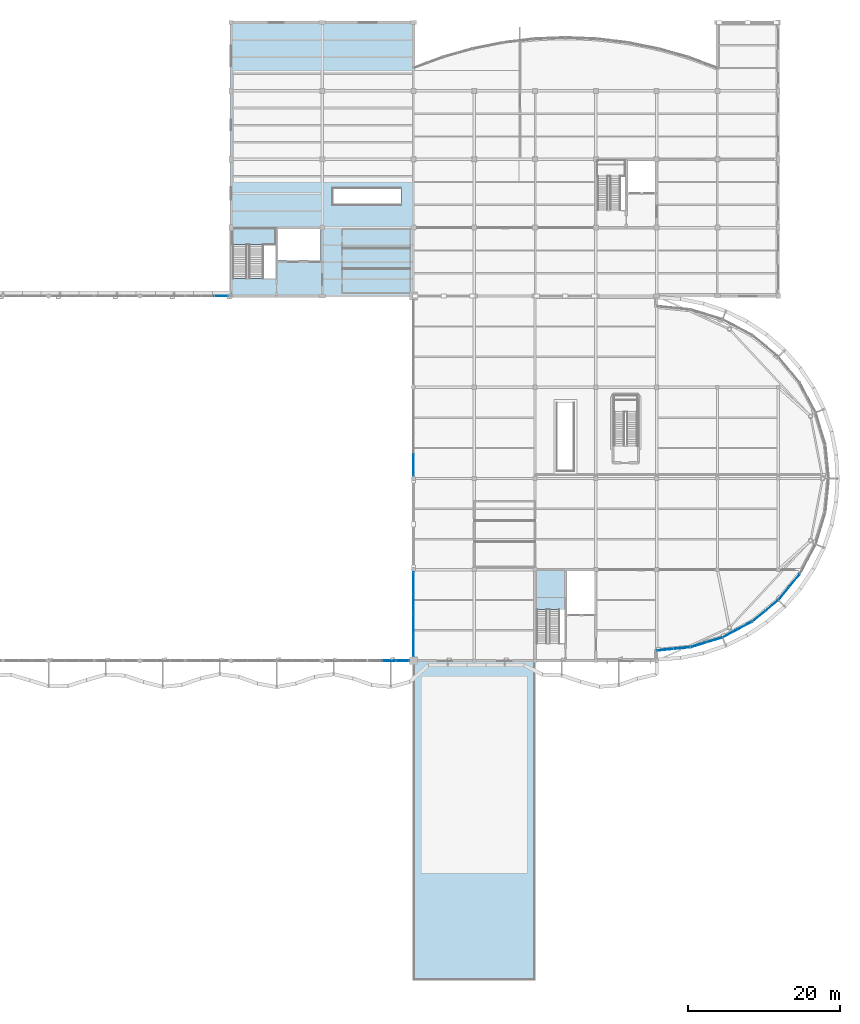
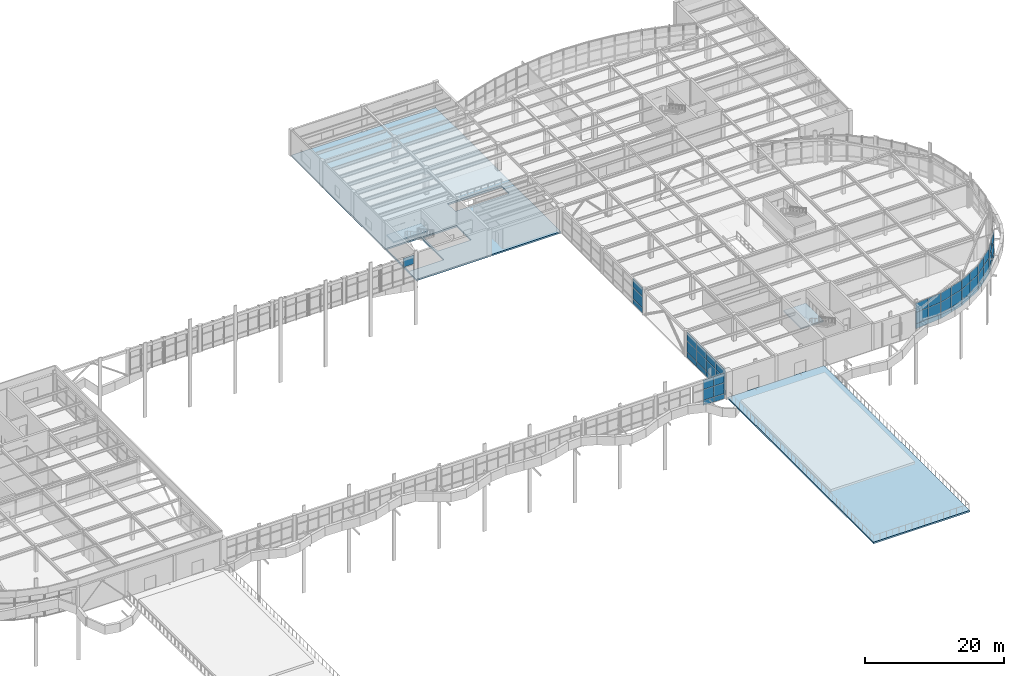
# One storey, part 38 of 63: 52 plates, 4 slabs, 11 elements without a shape of their own.
"""IFC4 building model written with IfcOpenShell, lengths in metres."""

from ifc_helpers import new_model, si_unit, direction, frame, origin, origin_2d, place, context, subcontext, project, spatial, polyline, rectangle, outline, extrude, material, layer, layer_set, type_object, element, aggregate, save


model = new_model("IFC4")

# Units and contexts
model_context = context("Model", 3, precision=1e-05, world=origin(), true_north=direction((0.0, 1.0)))
body_context = subcontext(model_context, "Body", "Model", "MODEL_VIEW")
ifc_project = project(units=[si_unit("LENGTHUNIT", "METRE"), si_unit("AREAUNIT", "SQUARE_METRE"), si_unit("VOLUMEUNIT", "CUBIC_METRE"), si_unit("PLANEANGLEUNIT", "RADIAN"), si_unit("MASSUNIT", "GRAM", prefix="KILO")], contexts=[model_context])

# Site, building, storey
site_placement = place(None, origin())
site = spatial("IfcSite", under=ifc_project, at=site_placement, CompositionType="ELEMENT")
building_placement = place(site_placement, origin())
building = spatial("IfcBuilding", under=site, at=building_placement, Name="Keelwater Ferry Terminal", CompositionType="ELEMENT")
storey_placement = place(building_placement, frame((0.0, 0.0, 10.199951171875)))
storey = spatial("IfcBuildingStorey", under=building, at=storey_placement, Name="L02", CompositionType="ELEMENT", Elevation=10.199951171875)

# Curtain wall, plates
ifc_material_1 = material(Name="Thermally broken unitised aluminium and triple glass", Category="aluminium")
ifc_layer_1 = layer(ifc_material_1, 0.179931640625)
ifc_layer_set_1 = layer_set([ifc_layer_1], Name="Thermally broken unitised aluminium and triple glass")
curtain_wall_type_1 = type_object("IfcCurtainWallType", Name="CW-03 Unitised Curtain Wall 5230x4450", PredefinedType="USERDEFINED", material=ifc_layer_set_1)
curtain_wall_1_placement = place(storey_placement, origin())
curtain_wall_1 = element("IfcCurtainWall", 1, at=curtain_wall_1_placement, inside=storey, type_object=curtain_wall_type_1, Name="Unitised Curtain Wall CW-L02-024", ObjectType="UNITISED CURTAIN WALL", PredefinedType="USERDEFINED")
ifc_material_2 = material(Name="Insulated white cassette spandrel", Category="aluminium")
ifc_layer_2 = layer(ifc_material_2, 0.094970703125)
ifc_layer_set_2 = layer_set([ifc_layer_2], Name="Insulated white cassette spandrel")
plate_type_1 = type_object("IfcPlateType", Name="CWP-S2 Insulated Spandrel Panel 95", PredefinedType="CURTAIN_PANEL", material=ifc_layer_set_2)
plate_1_placement = place(storey_placement, frame((128.81005859375, 42.0, 0.0), z_axis=(0.0, 0.0, 1.0), x_axis=(1.0, 0.0, 0.0)))
plate_1 = element("IfcPlate", 2, at=plate_1_placement, type_object=plate_type_1, Name="CW-L02-024 Panel 2.1", PredefinedType="CURTAIN_PANEL", context=body_context, shape_type="SweptSolid", body=[
    extrude(rectangle(XDim=1.743408203125, YDim=0.094970703125, at=origin_2d()), origin(), (0.0, 0.0, 1.0), 0.89990234375),
])
plate_2_placement = place(storey_placement, frame((130.55322265625, 42.0, 0.0), z_axis=(0.0, 0.0, 1.0), x_axis=(1.0, 0.0, 0.0)))
plate_2 = element("IfcPlate", 3, at=plate_2_placement, type_object=plate_type_1, Name="CW-L02-024 Panel 3.1", PredefinedType="CURTAIN_PANEL", context=body_context, shape_type="SweptSolid", body=[
    extrude(rectangle(XDim=1.743408203125, YDim=0.094970703125, at=origin_2d()), origin(), (0.0, 0.0, 1.0), 0.89990234375),
])

ifc_material_3 = material(Name="Thermally broken unitised aluminium and triple glass", Category="aluminium")
ifc_layer_3 = layer(ifc_material_3, 0.179931640625)
ifc_layer_set_3 = layer_set([ifc_layer_3], Name="Thermally broken unitised aluminium and triple glass")
curtain_wall_type_2 = type_object("IfcCurtainWallType", Name="CW-14 Unitised Curtain Wall 11050x4450", PredefinedType="USERDEFINED", material=ifc_layer_set_3)
curtain_wall_2_placement = place(storey_placement, origin())
curtain_wall_2 = element("IfcCurtainWall", 4, at=curtain_wall_2_placement, inside=storey, type_object=curtain_wall_type_2, Name="Unitised Curtain Wall CW-L02-074", ObjectType="UNITISED CURTAIN WALL", PredefinedType="USERDEFINED")
plate_3_placement = place(storey_placement, frame((132.0, 43.956298828125, 0.0), z_axis=(0.0, 0.0, 1.0), x_axis=(0.0, 1.0, 0.0)))
plate_3 = element("IfcPlate", 5, at=plate_3_placement, type_object=plate_type_1, Name="CW-L02-074 Panel 1.1", PredefinedType="CURTAIN_PANEL", context=body_context, shape_type="SweptSolid", body=[
    extrude(rectangle(XDim=2.762451171875, YDim=0.094970703125, at=origin_2d()), origin(), (0.0, 0.0, 1.0), 0.89990234375),
])
plate_4_placement = place(storey_placement, frame((132.0, 46.71875, 0.0), z_axis=(0.0, 0.0, 1.0), x_axis=(0.0, 1.0, 0.0)))
plate_4 = element("IfcPlate", 6, at=plate_4_placement, type_object=plate_type_1, Name="CW-L02-074 Panel 2.1", PredefinedType="CURTAIN_PANEL", context=body_context, shape_type="SweptSolid", body=[
    extrude(rectangle(XDim=2.762451171875, YDim=0.094970703125, at=origin_2d()), origin(), (0.0, 0.0, 1.0), 0.89990234375),
])
plate_5_placement = place(storey_placement, frame((132.0, 49.481201171875, 0.0), z_axis=(0.0, 0.0, 1.0), x_axis=(0.0, 1.0, 0.0)))
plate_5 = element("IfcPlate", 7, at=plate_5_placement, type_object=plate_type_1, Name="CW-L02-074 Panel 3.1", PredefinedType="CURTAIN_PANEL", context=body_context, shape_type="SweptSolid", body=[
    extrude(rectangle(XDim=2.762451171875, YDim=0.094970703125, at=origin_2d()), origin(), (0.0, 0.0, 1.0), 0.89990234375),
])
plate_6_placement = place(storey_placement, frame((132.0, 52.24365234375, 0.0), z_axis=(0.0, 0.0, 1.0), x_axis=(0.0, 1.0, 0.0)))
plate_6 = element("IfcPlate", 8, at=plate_6_placement, type_object=plate_type_1, Name="CW-L02-074 Panel 4.1", PredefinedType="CURTAIN_PANEL", context=body_context, shape_type="SweptSolid", body=[
    extrude(rectangle(XDim=2.762451171875, YDim=0.094970703125, at=origin_2d()), origin(), (0.0, 0.0, 1.0), 0.89990234375),
])

# Curtain wall, plate
ifc_material_4 = material(Name="Thermally broken unitised aluminium and triple glass", Category="aluminium")
ifc_layer_4 = layer(ifc_material_4, 0.179931640625)
ifc_layer_set_4 = layer_set([ifc_layer_4], Name="Thermally broken unitised aluminium and triple glass")
curtain_wall_type_3 = type_object("IfcCurtainWallType", Name="CW-15 Unitised Curtain Wall 11250x4450", PredefinedType="USERDEFINED", material=ifc_layer_set_4)
curtain_wall_3_placement = place(storey_placement, origin())
curtain_wall_3 = element("IfcCurtainWall", 9, at=curtain_wall_3_placement, inside=storey, type_object=curtain_wall_type_3, Name="Unitised Curtain Wall CW-L02-075", ObjectType="UNITISED CURTAIN WALL", PredefinedType="USERDEFINED")
plate_7_placement = place(storey_placement, frame((132.0, 67.78125, 0.0), z_axis=(0.0, 0.0, 1.0), x_axis=(0.0, 1.0, 0.0)))
plate_7 = element("IfcPlate", 10, at=plate_7_placement, type_object=plate_type_1, Name="CW-L02-075 Panel 1.1", PredefinedType="CURTAIN_PANEL", context=body_context, shape_type="SweptSolid", body=[
    extrude(rectangle(XDim=2.8125, YDim=0.094970703125, at=origin_2d()), origin(), (0.0, 0.0, 1.0), 0.89990234375),
])

# Curtain wall, plates
ifc_material_5 = material(Name="Thermally broken unitised aluminium and triple glass", Category="aluminium")
ifc_layer_5 = layer(ifc_material_5, 0.179931640625)
ifc_layer_set_5 = layer_set([ifc_layer_5], Name="Thermally broken unitised aluminium and triple glass")
curtain_wall_type_4 = type_object("IfcCurtainWallType", Name="CW-19 Unitised Curtain Wall 4350x4480", PredefinedType="USERDEFINED", material=ifc_layer_set_5)
curtain_wall_4_placement = place(storey_placement, origin())
curtain_wall_4 = element("IfcCurtainWall", 11, at=curtain_wall_4_placement, inside=storey, type_object=curtain_wall_type_4, Name="Unitised Curtain Wall CW-L02-157", ObjectType="UNITISED CURTAIN WALL", PredefinedType="USERDEFINED")
plate_8_placement = place(storey_placement, frame((165.127197265625, 43.460693359375, 0.0), z_axis=(0.0, 0.0, 1.0), x_axis=(0.995170573079, 0.098160737969, 0.0)))
plate_8 = element("IfcPlate", 12, at=plate_8_placement, type_object=plate_type_1, Name="CW-L02-157 Panel 1.1", PredefinedType="CURTAIN_PANEL", context=body_context, shape_type="SweptSolid", body=[
    extrude(rectangle(XDim=2.175048828125, YDim=0.094970703125, at=origin_2d()), origin(), (0.0, 0.0, 1.0), 0.85009765625),
])
plate_9_placement = place(storey_placement, frame((167.291748046875, 43.67431640625, 0.0), z_axis=(0.0, 0.0, 1.0), x_axis=(0.995170573079, 0.098160737969, 0.0)))
plate_9 = element("IfcPlate", 13, at=plate_9_placement, type_object=plate_type_1, Name="CW-L02-157 Panel 2.1", PredefinedType="CURTAIN_PANEL", context=body_context, shape_type="SweptSolid", body=[
    extrude(rectangle(XDim=2.175048828125, YDim=0.094970703125, at=origin_2d()), origin(), (0.0, 0.0, 1.0), 0.85009765625),
])

curtain_wall_5_placement = place(storey_placement, origin())
curtain_wall_5 = element("IfcCurtainWall", 14, at=curtain_wall_5_placement, inside=storey, type_object=curtain_wall_type_4, Name="Unitised Curtain Wall CW-L02-158", ObjectType="UNITISED CURTAIN WALL", PredefinedType="USERDEFINED")
plate_10_placement = place(storey_placement, frame((169.502685546875, 44.11376953125, 0.0), z_axis=(0.0, 0.0, 1.0), x_axis=(0.956929623319, 0.290319989003, 0.0)))
plate_10 = element("IfcPlate", 15, at=plate_10_placement, type_object=plate_type_1, Name="CW-L02-158 Panel 1.1", PredefinedType="CURTAIN_PANEL", context=body_context, shape_type="SweptSolid", body=[
    extrude(rectangle(XDim=2.17529296875, YDim=0.094970703125, at=origin_2d()), origin(), (0.0, 0.0, 1.0), 0.85009765625),
])
plate_11_placement = place(storey_placement, frame((171.584228515625, 44.745361328125, 0.0), z_axis=(0.0, 0.0, 1.0), x_axis=(0.956929623319, 0.290319989003, 0.0)))
plate_11 = element("IfcPlate", 16, at=plate_11_placement, type_object=plate_type_1, Name="CW-L02-158 Panel 2.1", PredefinedType="CURTAIN_PANEL", context=body_context, shape_type="SweptSolid", body=[
    extrude(rectangle(XDim=2.17529296875, YDim=0.094970703125, at=origin_2d()), origin(), (0.0, 0.0, 1.0), 0.85009765625),
])

curtain_wall_6_placement = place(storey_placement, origin())
curtain_wall_6 = element("IfcCurtainWall", 17, at=curtain_wall_6_placement, inside=storey, type_object=curtain_wall_type_4, Name="Unitised Curtain Wall CW-L02-159", ObjectType="UNITISED CURTAIN WALL", PredefinedType="USERDEFINED")
plate_12_placement = place(storey_placement, frame((173.6669921875, 45.607666015625, 0.0), z_axis=(0.0, 0.0, 1.0), x_axis=(0.881862452632, 0.471506749303, 0.0)))
plate_12 = element("IfcPlate", 18, at=plate_12_placement, type_object=plate_type_1, Name="CW-L02-159 Panel 1.1", PredefinedType="CURTAIN_PANEL", context=body_context, shape_type="SweptSolid", body=[
    extrude(rectangle(XDim=2.175048828125, YDim=0.094970703125, at=origin_2d()), origin(), (0.0, 0.0, 1.0), 0.85009765625),
])
plate_13_placement = place(storey_placement, frame((175.5849609375, 46.63330078125, 0.0), z_axis=(0.0, 0.0, 1.0), x_axis=(0.881862452632, 0.471506749303, 0.0)))
plate_13 = element("IfcPlate", 19, at=plate_13_placement, type_object=plate_type_1, Name="CW-L02-159 Panel 2.1", PredefinedType="CURTAIN_PANEL", context=body_context, shape_type="SweptSolid", body=[
    extrude(rectangle(XDim=2.175048828125, YDim=0.094970703125, at=origin_2d()), origin(), (0.0, 0.0, 1.0), 0.85009765625),
])

curtain_wall_7_placement = place(storey_placement, origin())
curtain_wall_7 = element("IfcCurtainWall", 20, at=curtain_wall_7_placement, inside=storey, type_object=curtain_wall_type_4, Name="Unitised Curtain Wall CW-L02-160", ObjectType="UNITISED CURTAIN WALL", PredefinedType="USERDEFINED")
plate_14_placement = place(storey_placement, frame((177.45947265625, 47.8857421875, 0.0), z_axis=(0.0, 0.0, 1.0), x_axis=(0.773024220086, 0.634376508991, 0.0)))
plate_14 = element("IfcPlate", 21, at=plate_14_placement, type_object=plate_type_1, Name="CW-L02-160 Panel 1.1", PredefinedType="CURTAIN_PANEL", context=body_context, shape_type="SweptSolid", body=[
    extrude(rectangle(XDim=2.174560546875, YDim=0.094970703125, at=origin_2d()), origin(), (0.0, 0.0, 1.0), 0.85009765625),
])
plate_15_placement = place(storey_placement, frame((179.140380859375, 49.26513671875, 0.0), z_axis=(0.0, 0.0, 1.0), x_axis=(0.773024220086, 0.634376508991, 0.0)))
plate_15 = element("IfcPlate", 22, at=plate_15_placement, type_object=plate_type_1, Name="CW-L02-160 Panel 2.1", PredefinedType="CURTAIN_PANEL", context=body_context, shape_type="SweptSolid", body=[
    extrude(rectangle(XDim=2.174560546875, YDim=0.094970703125, at=origin_2d()), origin(), (0.0, 0.0, 1.0), 0.85009765625),
])

curtain_wall_8_placement = place(storey_placement, origin())
curtain_wall_8 = element("IfcCurtainWall", 23, at=curtain_wall_8_placement, inside=storey, type_object=curtain_wall_type_4, Name="Unitised Curtain Wall CW-L02-161", ObjectType="UNITISED CURTAIN WALL", PredefinedType="USERDEFINED")
plate_16_placement = place(storey_placement, frame((180.73486328125, 50.859619140625, 0.0), z_axis=(0.0, 0.0, 1.0), x_axis=(0.634376508991, 0.773024220086, 0.0)))
plate_16 = element("IfcPlate", 24, at=plate_16_placement, type_object=plate_type_1, Name="CW-L02-161 Panel 1.1", PredefinedType="CURTAIN_PANEL", context=body_context, shape_type="SweptSolid", body=[
    extrude(rectangle(XDim=2.174560546875, YDim=0.094970703125, at=origin_2d()), origin(), (0.0, 0.0, 1.0), 0.85009765625),
])
plate_17_placement = place(storey_placement, frame((182.1142578125, 52.54052734375, 0.0), z_axis=(0.0, 0.0, 1.0), x_axis=(0.634376508991, 0.773024220086, 0.0)))
plate_17 = element("IfcPlate", 25, at=plate_17_placement, type_object=plate_type_1, Name="CW-L02-161 Panel 2.1", PredefinedType="CURTAIN_PANEL", context=body_context, shape_type="SweptSolid", body=[
    extrude(rectangle(XDim=2.174560546875, YDim=0.094970703125, at=origin_2d()), origin(), (0.0, 0.0, 1.0), 0.85009765625),
])

# Curtain wall, plate
ifc_material_6 = material(Name="Thermally broken unitised aluminium and triple glass", Category="aluminium")
ifc_layer_6 = layer(ifc_material_6, 0.179931640625)
ifc_layer_set_6 = layer_set([ifc_layer_6], Name="Thermally broken unitised aluminium and triple glass")
curtain_wall_type_5 = type_object("IfcCurtainWallType", Name="CW-07 Unitised Curtain Wall 5430x4450", PredefinedType="USERDEFINED", material=ifc_layer_set_6)
curtain_wall_9_placement = place(storey_placement, origin())
curtain_wall_9 = element("IfcCurtainWall", 26, at=curtain_wall_9_placement, inside=storey, type_object=curtain_wall_type_5, Name="Unitised Curtain Wall CW-L02-046", ObjectType="UNITISED CURTAIN WALL", PredefinedType="USERDEFINED")
ifc_material_7 = material(Name="Triple low-E laminated glass", Category="glass")
ifc_layer_7 = layer(ifc_material_7, 0.035888671875)
ifc_layer_set_7 = layer_set([ifc_layer_7], Name="Triple low-E laminated glass")
plate_type_2 = type_object("IfcPlateType", Name="CWP-V1 Glazed Vision Panel 36", PredefinedType="CURTAIN_PANEL", material=ifc_layer_set_7)
plate_18_placement = place(storey_placement, frame((106.719970703125, 90.0, 2.89990234375), z_axis=(0.0, 0.0, 1.0), x_axis=(1.0, 0.0, 0.0)))
plate_18 = element("IfcPlate", 27, at=plate_18_placement, type_object=plate_type_2, Name="CW-L02-046 Panel 3.3", PredefinedType="CURTAIN_PANEL", context=body_context, shape_type="SweptSolid", body=[
    extrude(rectangle(XDim=1.81005859375, YDim=0.035888671875, at=origin_2d()), origin(), (0.0, 0.0, 1.0), 1.550048828125),
])
aggregate(curtain_wall_9, [plate_18])

# Plate
ifc_material_8 = material(Name="Triple solar-control glass", Category="glass")
ifc_layer_8 = layer(ifc_material_8, 0.0419921875)
ifc_layer_set_8 = layer_set([ifc_layer_8], Name="Triple solar-control glass")
plate_type_3 = type_object("IfcPlateType", Name="CWP-V2 Glazed Vision Panel 42", PredefinedType="CURTAIN_PANEL", material=ifc_layer_set_8)
plate_19_placement = place(storey_placement, frame((128.81005859375, 42.0, 0.900146484375), z_axis=(0.0, 0.0, 1.0), x_axis=(1.0, 0.0, 0.0)))
plate_19 = element("IfcPlate", 28, at=plate_19_placement, type_object=plate_type_3, Name="CW-L02-024 Panel 2.2", PredefinedType="CURTAIN_PANEL", context=body_context, shape_type="SweptSolid", body=[
    extrude(rectangle(XDim=1.743408203125, YDim=0.0419921875, at=origin_2d()), origin(), (0.0, 0.0, 1.0), 1.89990234375),
])

plate_20_placement = place(storey_placement, frame((128.81005859375, 42.0, 2.800048828125), z_axis=(0.0, 0.0, 1.0), x_axis=(1.0, 0.0, 0.0)))
plate_20 = element("IfcPlate", 29, at=plate_20_placement, type_object=plate_type_3, Name="CW-L02-024 Panel 2.3", PredefinedType="CURTAIN_PANEL", context=body_context, shape_type="SweptSolid", body=[
    extrude(rectangle(XDim=1.743408203125, YDim=0.0419921875, at=origin_2d()), origin(), (0.0, 0.0, 1.0), 1.64990234375),
])

plate_21_placement = place(storey_placement, frame((130.55322265625, 42.0, 0.900146484375), z_axis=(0.0, 0.0, 1.0), x_axis=(1.0, 0.0, 0.0)))
plate_21 = element("IfcPlate", 30, at=plate_21_placement, type_object=plate_type_3, Name="CW-L02-024 Panel 3.2", PredefinedType="CURTAIN_PANEL", context=body_context, shape_type="SweptSolid", body=[
    extrude(rectangle(XDim=1.743408203125, YDim=0.0419921875, at=origin_2d()), origin(), (0.0, 0.0, 1.0), 1.89990234375),
])

plate_22_placement = place(storey_placement, frame((130.55322265625, 42.0, 2.800048828125), z_axis=(0.0, 0.0, 1.0), x_axis=(1.0, 0.0, 0.0)))
plate_22 = element("IfcPlate", 31, at=plate_22_placement, type_object=plate_type_3, Name="CW-L02-024 Panel 3.3", PredefinedType="CURTAIN_PANEL", context=body_context, shape_type="SweptSolid", body=[
    extrude(rectangle(XDim=1.743408203125, YDim=0.0419921875, at=origin_2d()), origin(), (0.0, 0.0, 1.0), 1.64990234375),
])

aggregate(curtain_wall_1, [plate_1, plate_19, plate_20, plate_2, plate_21, plate_22])

plate_23_placement = place(storey_placement, frame((132.0, 43.956298828125, 0.900146484375), z_axis=(0.0, 0.0, 1.0), x_axis=(0.0, 1.0, 0.0)))
plate_23 = element("IfcPlate", 32, at=plate_23_placement, type_object=plate_type_3, Name="CW-L02-074 Panel 1.2", PredefinedType="CURTAIN_PANEL", context=body_context, shape_type="SweptSolid", body=[
    extrude(rectangle(XDim=2.762451171875, YDim=0.0419921875, at=origin_2d()), origin(), (0.0, 0.0, 1.0), 2.0),
])

plate_24_placement = place(storey_placement, frame((132.0, 43.956298828125, 2.89990234375), z_axis=(0.0, 0.0, 1.0), x_axis=(0.0, 1.0, 0.0)))
plate_24 = element("IfcPlate", 33, at=plate_24_placement, type_object=plate_type_3, Name="CW-L02-074 Panel 1.3", PredefinedType="CURTAIN_PANEL", context=body_context, shape_type="SweptSolid", body=[
    extrude(rectangle(XDim=2.762451171875, YDim=0.0419921875, at=origin_2d()), origin(), (0.0, 0.0, 1.0), 1.550048828125),
])

plate_25_placement = place(storey_placement, frame((132.0, 46.71875, 0.900146484375), z_axis=(0.0, 0.0, 1.0), x_axis=(0.0, 1.0, 0.0)))
plate_25 = element("IfcPlate", 34, at=plate_25_placement, type_object=plate_type_3, Name="CW-L02-074 Panel 2.2", PredefinedType="CURTAIN_PANEL", context=body_context, shape_type="SweptSolid", body=[
    extrude(rectangle(XDim=2.762451171875, YDim=0.0419921875, at=origin_2d()), origin(), (0.0, 0.0, 1.0), 2.0),
])

plate_26_placement = place(storey_placement, frame((132.0, 46.71875, 2.89990234375), z_axis=(0.0, 0.0, 1.0), x_axis=(0.0, 1.0, 0.0)))
plate_26 = element("IfcPlate", 35, at=plate_26_placement, type_object=plate_type_3, Name="CW-L02-074 Panel 2.3", PredefinedType="CURTAIN_PANEL", context=body_context, shape_type="SweptSolid", body=[
    extrude(rectangle(XDim=2.762451171875, YDim=0.0419921875, at=origin_2d()), origin(), (0.0, 0.0, 1.0), 1.550048828125),
])

plate_27_placement = place(storey_placement, frame((132.0, 49.481201171875, 0.900146484375), z_axis=(0.0, 0.0, 1.0), x_axis=(0.0, 1.0, 0.0)))
plate_27 = element("IfcPlate", 36, at=plate_27_placement, type_object=plate_type_3, Name="CW-L02-074 Panel 3.2", PredefinedType="CURTAIN_PANEL", context=body_context, shape_type="SweptSolid", body=[
    extrude(rectangle(XDim=2.762451171875, YDim=0.0419921875, at=origin_2d()), origin(), (0.0, 0.0, 1.0), 2.0),
])

plate_28_placement = place(storey_placement, frame((132.0, 49.481201171875, 2.89990234375), z_axis=(0.0, 0.0, 1.0), x_axis=(0.0, 1.0, 0.0)))
plate_28 = element("IfcPlate", 37, at=plate_28_placement, type_object=plate_type_3, Name="CW-L02-074 Panel 3.3", PredefinedType="CURTAIN_PANEL", context=body_context, shape_type="SweptSolid", body=[
    extrude(rectangle(XDim=2.762451171875, YDim=0.0419921875, at=origin_2d()), origin(), (0.0, 0.0, 1.0), 1.550048828125),
])

plate_29_placement = place(storey_placement, frame((132.0, 52.24365234375, 0.900146484375), z_axis=(0.0, 0.0, 1.0), x_axis=(0.0, 1.0, 0.0)))
plate_29 = element("IfcPlate", 38, at=plate_29_placement, type_object=plate_type_3, Name="CW-L02-074 Panel 4.2", PredefinedType="CURTAIN_PANEL", context=body_context, shape_type="SweptSolid", body=[
    extrude(rectangle(XDim=2.762451171875, YDim=0.0419921875, at=origin_2d()), origin(), (0.0, 0.0, 1.0), 2.0),
])

plate_30_placement = place(storey_placement, frame((132.0, 52.24365234375, 2.89990234375), z_axis=(0.0, 0.0, 1.0), x_axis=(0.0, 1.0, 0.0)))
plate_30 = element("IfcPlate", 39, at=plate_30_placement, type_object=plate_type_3, Name="CW-L02-074 Panel 4.3", PredefinedType="CURTAIN_PANEL", context=body_context, shape_type="SweptSolid", body=[
    extrude(rectangle(XDim=2.762451171875, YDim=0.0419921875, at=origin_2d()), origin(), (0.0, 0.0, 1.0), 1.550048828125),
])

aggregate(curtain_wall_2, [plate_3, plate_23, plate_24, plate_4, plate_25, plate_26, plate_5, plate_27, plate_28, plate_6, plate_29, plate_30])

plate_31_placement = place(storey_placement, frame((132.0, 67.78125, 0.900146484375), z_axis=(0.0, 0.0, 1.0), x_axis=(0.0, 1.0, 0.0)))
plate_31 = element("IfcPlate", 40, at=plate_31_placement, type_object=plate_type_3, Name="CW-L02-075 Panel 1.2", PredefinedType="CURTAIN_PANEL", context=body_context, shape_type="SweptSolid", body=[
    extrude(rectangle(XDim=2.8125, YDim=0.0419921875, at=origin_2d()), origin(), (0.0, 0.0, 1.0), 2.0),
])

plate_32_placement = place(storey_placement, frame((132.0, 67.78125, 2.89990234375), z_axis=(0.0, 0.0, 1.0), x_axis=(0.0, 1.0, 0.0)))
plate_32 = element("IfcPlate", 41, at=plate_32_placement, type_object=plate_type_3, Name="CW-L02-075 Panel 1.3", PredefinedType="CURTAIN_PANEL", context=body_context, shape_type="SweptSolid", body=[
    extrude(rectangle(XDim=2.8125, YDim=0.0419921875, at=origin_2d()), origin(), (0.0, 0.0, 1.0), 1.550048828125),
])

aggregate(curtain_wall_3, [plate_7, plate_31, plate_32])

plate_33_placement = place(storey_placement, frame((165.127197265625, 43.460693359375, 0.85009765625), z_axis=(0.0, 0.0, 1.0), x_axis=(0.995170573079, 0.098160737969, 0.0)))
plate_33 = element("IfcPlate", 42, at=plate_33_placement, type_object=plate_type_3, Name="CW-L02-157 Panel 1.2", PredefinedType="CURTAIN_PANEL", context=body_context, shape_type="SweptSolid", body=[
    extrude(rectangle(XDim=2.175048828125, YDim=0.0419921875, at=origin_2d()), origin(), (0.0, 0.0, 1.0), 2.0),
])

plate_34_placement = place(storey_placement, frame((165.127197265625, 43.460693359375, 2.85009765625), z_axis=(0.0, 0.0, 1.0), x_axis=(0.995170573079, 0.098160737969, 0.0)))
plate_34 = element("IfcPlate", 43, at=plate_34_placement, type_object=plate_type_3, Name="CW-L02-157 Panel 1.3", PredefinedType="CURTAIN_PANEL", context=body_context, shape_type="SweptSolid", body=[
    extrude(rectangle(XDim=2.175048828125, YDim=0.0419921875, at=origin_2d()), origin(), (0.0, 0.0, 1.0), 1.6298828125),
])

plate_35_placement = place(storey_placement, frame((167.291748046875, 43.67431640625, 0.85009765625), z_axis=(0.0, 0.0, 1.0), x_axis=(0.995170573079, 0.098160737969, 0.0)))
plate_35 = element("IfcPlate", 44, at=plate_35_placement, type_object=plate_type_3, Name="CW-L02-157 Panel 2.2", PredefinedType="CURTAIN_PANEL", context=body_context, shape_type="SweptSolid", body=[
    extrude(rectangle(XDim=2.175048828125, YDim=0.0419921875, at=origin_2d()), origin(), (0.0, 0.0, 1.0), 2.0),
])

plate_36_placement = place(storey_placement, frame((167.291748046875, 43.67431640625, 2.85009765625), z_axis=(0.0, 0.0, 1.0), x_axis=(0.995170573079, 0.098160737969, 0.0)))
plate_36 = element("IfcPlate", 45, at=plate_36_placement, type_object=plate_type_3, Name="CW-L02-157 Panel 2.3", PredefinedType="CURTAIN_PANEL", context=body_context, shape_type="SweptSolid", body=[
    extrude(rectangle(XDim=2.175048828125, YDim=0.0419921875, at=origin_2d()), origin(), (0.0, 0.0, 1.0), 1.6298828125),
])

aggregate(curtain_wall_4, [plate_8, plate_33, plate_34, plate_9, plate_35, plate_36])

plate_37_placement = place(storey_placement, frame((169.502685546875, 44.11376953125, 0.85009765625), z_axis=(0.0, 0.0, 1.0), x_axis=(0.956929623319, 0.290319989003, 0.0)))
plate_37 = element("IfcPlate", 46, at=plate_37_placement, type_object=plate_type_3, Name="CW-L02-158 Panel 1.2", PredefinedType="CURTAIN_PANEL", context=body_context, shape_type="SweptSolid", body=[
    extrude(rectangle(XDim=2.17529296875, YDim=0.0419921875, at=origin_2d()), origin(), (0.0, 0.0, 1.0), 2.0),
])

plate_38_placement = place(storey_placement, frame((169.502685546875, 44.11376953125, 2.85009765625), z_axis=(0.0, 0.0, 1.0), x_axis=(0.956929623319, 0.290319989003, 0.0)))
plate_38 = element("IfcPlate", 47, at=plate_38_placement, type_object=plate_type_3, Name="CW-L02-158 Panel 1.3", PredefinedType="CURTAIN_PANEL", context=body_context, shape_type="SweptSolid", body=[
    extrude(rectangle(XDim=2.17529296875, YDim=0.0419921875, at=origin_2d()), origin(), (0.0, 0.0, 1.0), 1.6298828125),
])

plate_39_placement = place(storey_placement, frame((171.584228515625, 44.745361328125, 0.85009765625), z_axis=(0.0, 0.0, 1.0), x_axis=(0.956929623319, 0.290319989003, 0.0)))
plate_39 = element("IfcPlate", 48, at=plate_39_placement, type_object=plate_type_3, Name="CW-L02-158 Panel 2.2", PredefinedType="CURTAIN_PANEL", context=body_context, shape_type="SweptSolid", body=[
    extrude(rectangle(XDim=2.17529296875, YDim=0.0419921875, at=origin_2d()), origin(), (0.0, 0.0, 1.0), 2.0),
])

plate_40_placement = place(storey_placement, frame((171.584228515625, 44.745361328125, 2.85009765625), z_axis=(0.0, 0.0, 1.0), x_axis=(0.956929623319, 0.290319989003, 0.0)))
plate_40 = element("IfcPlate", 49, at=plate_40_placement, type_object=plate_type_3, Name="CW-L02-158 Panel 2.3", PredefinedType="CURTAIN_PANEL", context=body_context, shape_type="SweptSolid", body=[
    extrude(rectangle(XDim=2.17529296875, YDim=0.0419921875, at=origin_2d()), origin(), (0.0, 0.0, 1.0), 1.6298828125),
])

aggregate(curtain_wall_5, [plate_10, plate_37, plate_38, plate_11, plate_39, plate_40])

plate_41_placement = place(storey_placement, frame((173.6669921875, 45.607666015625, 0.85009765625), z_axis=(0.0, 0.0, 1.0), x_axis=(0.881862452632, 0.471506749303, 0.0)))
plate_41 = element("IfcPlate", 50, at=plate_41_placement, type_object=plate_type_3, Name="CW-L02-159 Panel 1.2", PredefinedType="CURTAIN_PANEL", context=body_context, shape_type="SweptSolid", body=[
    extrude(rectangle(XDim=2.175048828125, YDim=0.0419921875, at=origin_2d()), origin(), (0.0, 0.0, 1.0), 2.0),
])

plate_42_placement = place(storey_placement, frame((173.6669921875, 45.607666015625, 2.85009765625), z_axis=(0.0, 0.0, 1.0), x_axis=(0.881862452632, 0.471506749303, 0.0)))
plate_42 = element("IfcPlate", 51, at=plate_42_placement, type_object=plate_type_3, Name="CW-L02-159 Panel 1.3", PredefinedType="CURTAIN_PANEL", context=body_context, shape_type="SweptSolid", body=[
    extrude(rectangle(XDim=2.175048828125, YDim=0.0419921875, at=origin_2d()), origin(), (0.0, 0.0, 1.0), 1.6298828125),
])

plate_43_placement = place(storey_placement, frame((175.5849609375, 46.63330078125, 0.85009765625), z_axis=(0.0, 0.0, 1.0), x_axis=(0.881862452632, 0.471506749303, 0.0)))
plate_43 = element("IfcPlate", 52, at=plate_43_placement, type_object=plate_type_3, Name="CW-L02-159 Panel 2.2", PredefinedType="CURTAIN_PANEL", context=body_context, shape_type="SweptSolid", body=[
    extrude(rectangle(XDim=2.175048828125, YDim=0.0419921875, at=origin_2d()), origin(), (0.0, 0.0, 1.0), 2.0),
])

plate_44_placement = place(storey_placement, frame((175.5849609375, 46.63330078125, 2.85009765625), z_axis=(0.0, 0.0, 1.0), x_axis=(0.881862452632, 0.471506749303, 0.0)))
plate_44 = element("IfcPlate", 53, at=plate_44_placement, type_object=plate_type_3, Name="CW-L02-159 Panel 2.3", PredefinedType="CURTAIN_PANEL", context=body_context, shape_type="SweptSolid", body=[
    extrude(rectangle(XDim=2.175048828125, YDim=0.0419921875, at=origin_2d()), origin(), (0.0, 0.0, 1.0), 1.6298828125),
])

aggregate(curtain_wall_6, [plate_12, plate_41, plate_42, plate_13, plate_43, plate_44])

plate_45_placement = place(storey_placement, frame((177.45947265625, 47.8857421875, 0.85009765625), z_axis=(0.0, 0.0, 1.0), x_axis=(0.773024220086, 0.634376508991, 0.0)))
plate_45 = element("IfcPlate", 54, at=plate_45_placement, type_object=plate_type_3, Name="CW-L02-160 Panel 1.2", PredefinedType="CURTAIN_PANEL", context=body_context, shape_type="SweptSolid", body=[
    extrude(rectangle(XDim=2.174560546875, YDim=0.0419921875, at=origin_2d()), origin(), (0.0, 0.0, 1.0), 2.0),
])

plate_46_placement = place(storey_placement, frame((177.45947265625, 47.8857421875, 2.85009765625), z_axis=(0.0, 0.0, 1.0), x_axis=(0.773024220086, 0.634376508991, 0.0)))
plate_46 = element("IfcPlate", 55, at=plate_46_placement, type_object=plate_type_3, Name="CW-L02-160 Panel 1.3", PredefinedType="CURTAIN_PANEL", context=body_context, shape_type="SweptSolid", body=[
    extrude(rectangle(XDim=2.174560546875, YDim=0.0419921875, at=origin_2d()), origin(), (0.0, 0.0, 1.0), 1.6298828125),
])

plate_47_placement = place(storey_placement, frame((179.140380859375, 49.26513671875, 0.85009765625), z_axis=(0.0, 0.0, 1.0), x_axis=(0.773024220086, 0.634376508991, 0.0)))
plate_47 = element("IfcPlate", 56, at=plate_47_placement, type_object=plate_type_3, Name="CW-L02-160 Panel 2.2", PredefinedType="CURTAIN_PANEL", context=body_context, shape_type="SweptSolid", body=[
    extrude(rectangle(XDim=2.174560546875, YDim=0.0419921875, at=origin_2d()), origin(), (0.0, 0.0, 1.0), 2.0),
])

plate_48_placement = place(storey_placement, frame((179.140380859375, 49.26513671875, 2.85009765625), z_axis=(0.0, 0.0, 1.0), x_axis=(0.773024220086, 0.634376508991, 0.0)))
plate_48 = element("IfcPlate", 57, at=plate_48_placement, type_object=plate_type_3, Name="CW-L02-160 Panel 2.3", PredefinedType="CURTAIN_PANEL", context=body_context, shape_type="SweptSolid", body=[
    extrude(rectangle(XDim=2.174560546875, YDim=0.0419921875, at=origin_2d()), origin(), (0.0, 0.0, 1.0), 1.6298828125),
])

aggregate(curtain_wall_7, [plate_14, plate_45, plate_46, plate_15, plate_47, plate_48])

plate_49_placement = place(storey_placement, frame((180.73486328125, 50.859619140625, 0.85009765625), z_axis=(0.0, 0.0, 1.0), x_axis=(0.634376508991, 0.773024220086, 0.0)))
plate_49 = element("IfcPlate", 58, at=plate_49_placement, type_object=plate_type_3, Name="CW-L02-161 Panel 1.2", PredefinedType="CURTAIN_PANEL", context=body_context, shape_type="SweptSolid", body=[
    extrude(rectangle(XDim=2.174560546875, YDim=0.0419921875, at=origin_2d()), origin(), (0.0, 0.0, 1.0), 2.0),
])

plate_50_placement = place(storey_placement, frame((180.73486328125, 50.859619140625, 2.85009765625), z_axis=(0.0, 0.0, 1.0), x_axis=(0.634376508991, 0.773024220086, 0.0)))
plate_50 = element("IfcPlate", 59, at=plate_50_placement, type_object=plate_type_3, Name="CW-L02-161 Panel 1.3", PredefinedType="CURTAIN_PANEL", context=body_context, shape_type="SweptSolid", body=[
    extrude(rectangle(XDim=2.174560546875, YDim=0.0419921875, at=origin_2d()), origin(), (0.0, 0.0, 1.0), 1.6298828125),
])

plate_51_placement = place(storey_placement, frame((182.1142578125, 52.54052734375, 0.85009765625), z_axis=(0.0, 0.0, 1.0), x_axis=(0.634376508991, 0.773024220086, 0.0)))
plate_51 = element("IfcPlate", 60, at=plate_51_placement, type_object=plate_type_3, Name="CW-L02-161 Panel 2.2", PredefinedType="CURTAIN_PANEL", context=body_context, shape_type="SweptSolid", body=[
    extrude(rectangle(XDim=2.174560546875, YDim=0.0419921875, at=origin_2d()), origin(), (0.0, 0.0, 1.0), 2.0),
])

plate_52_placement = place(storey_placement, frame((182.1142578125, 52.54052734375, 2.85009765625), z_axis=(0.0, 0.0, 1.0), x_axis=(0.634376508991, 0.773024220086, 0.0)))
plate_52 = element("IfcPlate", 61, at=plate_52_placement, type_object=plate_type_3, Name="CW-L02-161 Panel 2.3", PredefinedType="CURTAIN_PANEL", context=body_context, shape_type="SweptSolid", body=[
    extrude(rectangle(XDim=2.174560546875, YDim=0.0419921875, at=origin_2d()), origin(), (0.0, 0.0, 1.0), 1.6298828125),
])

aggregate(curtain_wall_8, [plate_16, plate_49, plate_50, plate_17, plate_51, plate_52])

# Slabs
ifc_material_9 = material(Name="Concrete C40/50", Category="concrete")
ifc_layer_9 = layer(ifc_material_9, 0.280029296875)
ifc_layer_set_9 = layer_set([ifc_layer_9], Name="Concrete C40/50")
slab_type_1 = type_object("IfcSlabType", Name="SL-EX280 Outdoor Suspended Floor Slab 280", PredefinedType="FLOOR", material=ifc_layer_set_9)
slab_1_placement = place(storey_placement, frame((0.0, 0.0, -0.280029296875)))
element("IfcSlab", 62, at=slab_1_placement, inside=storey, type_object=slab_type_1, Name="East Boarding Bridge Public Roof Promenade SL-L02-042", PredefinedType="FLOOR", context=body_context, shape_type="SweptSolid", body=[
    extrude(outline(polyline([(132.0, 0.0), (148.0, 0.0), (148.0, 42.0), (132.0, 42.0), (132.0, 0.0)])), origin(), (0.0, 0.0, 1.0), 0.280029296875),
])
ifc_material_10 = material(Name="Concrete C40/50", Category="concrete")
ifc_layer_10 = layer(ifc_material_10, 0.280029296875)
ifc_layer_set_10 = layer_set([ifc_layer_10], Name="Concrete C40/50")
slab_type_2 = type_object("IfcSlabType", Name="SL-F280 Suspended Floor Slab 280", PredefinedType="FLOOR", material=ifc_layer_set_10)
slab_2_placement = place(storey_placement, frame((0.0, 0.0, -0.280029296875)))
element("IfcSlab", 63, at=slab_2_placement, inside=storey, type_object=slab_type_2, Name="V5 West Level L02 Floor Slab SL-L02-044", PredefinedType="FLOOR", context=body_context, shape_type="SweptSolid", body=[
    extrude(outline(polyline([(108.0, 90.0), (132.0, 90.0), (132.0, 126.0), (108.0, 126.0), (108.0, 90.0)]), holes=[polyline([(108.14990234375, 92.320068359375), (113.89990234375, 92.320068359375), (113.89990234375, 98.89990234375), (108.14990234375, 98.89990234375), (108.14990234375, 92.320068359375)]), polyline([(114.199951171875, 94.64990234375), (119.800048828125, 94.64990234375), (119.800048828125, 98.800048828125), (114.199951171875, 98.800048828125), (114.199951171875, 94.64990234375)]), polyline([(121.39990234375, 102.0), (130.340087890625, 102.0), (130.340087890625, 104.199951171875), (121.39990234375, 104.199951171875), (121.39990234375, 102.0)])]), origin(), (0.0, 0.0, 1.0), 0.280029296875),
])

# Stair, slab
ifc_material_11 = material(Name="Concrete C40/50", Category="concrete")
stair_type_1 = type_object("IfcStairType", Name="ST-T04 Half-Turn Stair 1850W 32R", PredefinedType="HALF_TURN_STAIR", material=ifc_material_11)
stair_1_placement = place(storey_placement, origin())
stair_1 = element("IfcStair", 64, at=stair_1_placement, inside=storey, type_object=stair_type_1, Name="Half-Turn Stair ST-C2-L02", PredefinedType="HALF_TURN_STAIR")
ifc_material_12 = material(Name="Concrete C40/50", Category="concrete")
ifc_layer_11 = layer(ifc_material_12, 0.219970703125)
ifc_layer_set_11 = layer_set([ifc_layer_11], Name="Concrete C40/50")
slab_type_3 = type_object("IfcSlabType", Name="SL-LD220 Stair Landing Slab 220", PredefinedType="LANDING", material=ifc_layer_set_11)
slab_3_placement = place(storey_placement, frame((0.0, 0.0, 2.179931640625)))
slab_3 = element("IfcSlab", 65, at=slab_3_placement, type_object=slab_type_3, Name="ST-C2-L02 landing 1", PredefinedType="LANDING", context=body_context, shape_type="SweptSolid", body=[
    extrude(outline(polyline([(108.14990234375, 96.780029296875), (113.8798828125, 96.780029296875), (113.8798828125, 98.89990234375), (108.14990234375, 98.89990234375), (108.14990234375, 96.780029296875)])), origin(), (0.0, 0.0, 1.0), 0.22021484375),
])
aggregate(stair_1, [slab_3])

ifc_material_13 = material(Name="Concrete C40/50", Category="concrete")
stair_type_2 = type_object("IfcStairType", Name="ST-T02 Half-Turn Stair 1350W 32R", PredefinedType="HALF_TURN_STAIR", material=ifc_material_13)
stair_2_placement = place(storey_placement, origin())
stair_2 = element("IfcStair", 66, at=stair_2_placement, inside=storey, type_object=stair_type_2, Name="Half-Turn Stair ST-C4-L02", PredefinedType="HALF_TURN_STAIR")
slab_4_placement = place(storey_placement, frame((0.0, 0.0, 2.179931640625)))
slab_4 = element("IfcSlab", 67, at=slab_4_placement, type_object=slab_type_3, Name="ST-C4-L02 landing 1", PredefinedType="LANDING", context=body_context, shape_type="SweptSolid", body=[
    extrude(outline(polyline([(148.14990234375, 48.780029296875), (151.8798828125, 48.780029296875), (151.8798828125, 53.89990234375), (148.14990234375, 53.89990234375), (148.14990234375, 48.780029296875)])), origin(), (0.0, 0.0, 1.0), 0.22021484375),
])
aggregate(stair_2, [slab_4])

save(model, "model.ifc")
